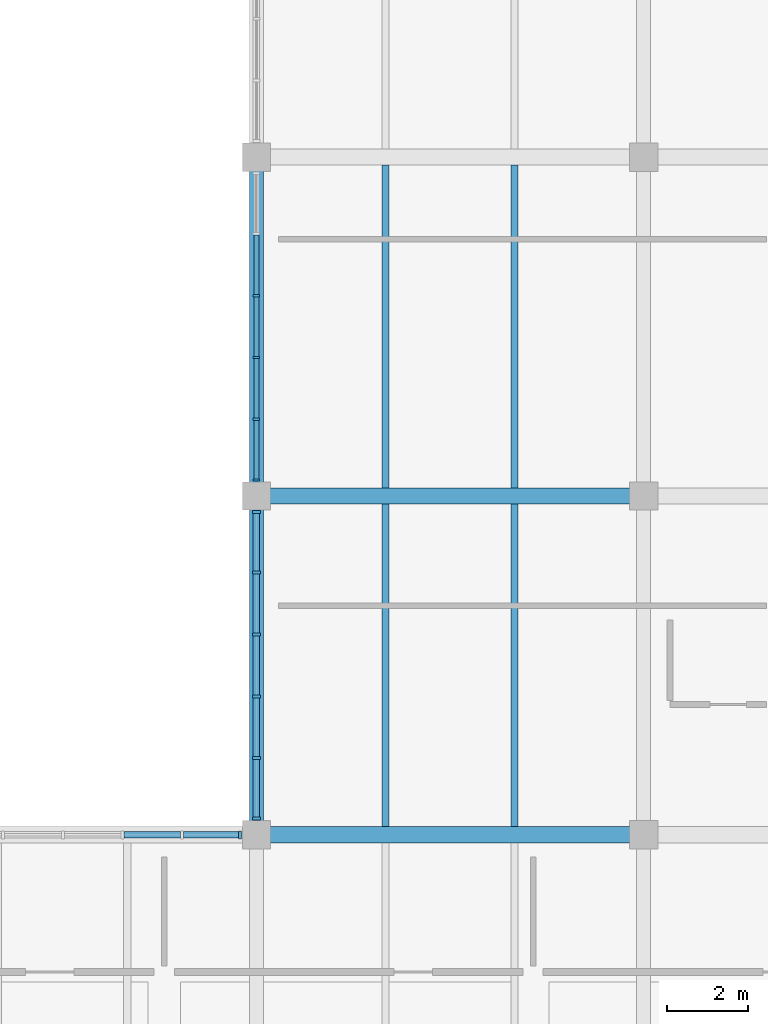
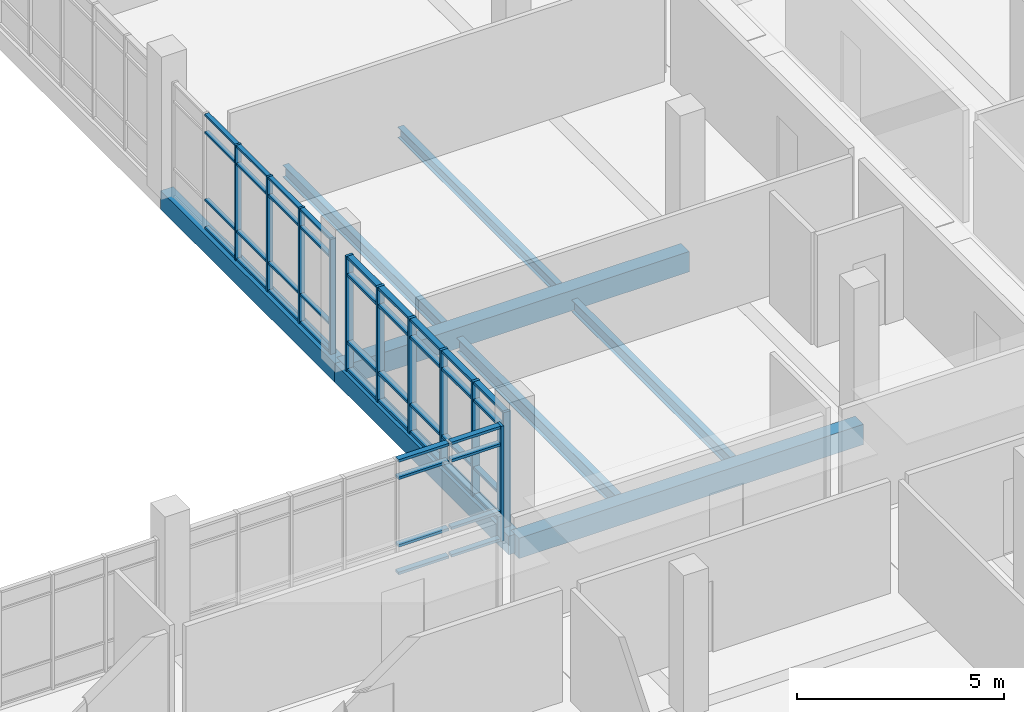
# One storey, part 10 of 57: 55 members, 8 beams, 3 elements without a shape of their own.
"""IFC4 building model written with IfcOpenShell, lengths in metres."""

import ifcopenshell
import ifcopenshell.guid

model = None  # the IFC model being written
_history = None  # IfcOwnerHistory: only IFC2X3 demands one
_inside = {}  # id of a spatial element -> (the spatial element, [elements in it])
_under = {}  # id of a project, library or spatial element -> (it, [spatial elements below it])
_declared = {}  # id of a project -> (the project, [libraries it declares])
_typed = {}  # id of a type object -> (the type object, [elements of that type])
_made_of = {}  # id of a material, layer set ... -> (it, [elements and type objects made of it])


def new_model(schema):
    """Start an empty IFC model of exactly this schema.

    Asked for "IFC4X3", IfcOpenShell would pick the latest addendum, in which some entities
    have other attributes; the version numbers below select the first issue.
    IFC2X3 requires an IfcOwnerHistory on every rooted entity: one is made here for all.
    """
    global model, _history
    if schema == "IFC4X3":
        model = ifcopenshell.file(schema_version=(4, 3, 0, 0))
    else:
        model = ifcopenshell.file(schema=schema)
    _inside.clear()
    _under.clear()
    _declared.clear()
    _typed.clear()
    _made_of.clear()
    _history = None
    if model.schema == "IFC2X3":
        org = make("IfcOrganization", Name="unknown")
        user = make(
            "IfcPersonAndOrganization",
            ThePerson=make("IfcPerson", FamilyName="unknown"),
            TheOrganization=org,
        )
        app = make(
            "IfcApplication",
            ApplicationDeveloper=org,
            Version="unknown",
            ApplicationFullName="unknown",
            ApplicationIdentifier="unknown",
        )
        _history = make(
            "IfcOwnerHistory",
            OwningUser=user,
            OwningApplication=app,
            ChangeAction="ADDED",
            CreationDate=0,
        )
    return model


def make(cls, **values):
    """One entity of the class cls with the attributes given. An attribute that is None is left unset."""
    return model.create_entity(
        cls, **{name: value for name, value in values.items() if value is not None}
    )


def rooted(cls, **values):
    """An entity with a GlobalId (a new one), such as an element, a storey or a relation."""
    return make(cls, GlobalId=ifcopenshell.guid.new(), OwnerHistory=_history, **values)


def si_unit(unit_type, name, prefix=None):
    """IfcSIUnit, for example si_unit("LENGTHUNIT", "METRE", prefix="MILLI")."""
    return make("IfcSIUnit", UnitType=unit_type, Prefix=prefix, Name=name)


def assignment(units):
    """IfcUnitAssignment: the units of a project."""
    return None if units is None else make("IfcUnitAssignment", Units=units)


def point(xyz):
    """IfcCartesianPoint."""
    return None if xyz is None else make("IfcCartesianPoint", Coordinates=xyz)


def direction(xyz):
    """IfcDirection."""
    return None if xyz is None else make("IfcDirection", DirectionRatios=xyz)


def frame(location, z_axis=None, x_axis=None):
    """IfcAxis2Placement3D, a coordinate frame: its origin and axes. An axis left out is left unset."""
    return make(
        "IfcAxis2Placement3D",
        Location=point(location),
        Axis=direction(z_axis),
        RefDirection=direction(x_axis),
    )


def frame_2d(location, x_axis=None):
    """IfcAxis2Placement2D, a coordinate frame in the plane: its origin and x axis."""
    return make(
        "IfcAxis2Placement2D", Location=point(location), RefDirection=direction(x_axis)
    )


def origin():
    """The frame at (0, 0, 0) with its axes left unset."""
    return frame((0.0, 0.0, 0.0))


def origin_2d():
    """The frame at (0, 0) in the plane with its x axis left unset."""
    return frame_2d((0.0, 0.0))


def place(relative_to, where):
    """IfcLocalPlacement: puts the frame where relative to a parent placement (None: the world)."""
    return make(
        "IfcLocalPlacement", PlacementRelTo=relative_to, RelativePlacement=where
    )


def context(
    kind, dimensions, precision=None, world=None, true_north=None, identifier=None
):
    """IfcGeometricRepresentationContext, for example the 3D "Model" context."""
    return make(
        "IfcGeometricRepresentationContext",
        ContextIdentifier=identifier,
        ContextType=kind,
        CoordinateSpaceDimension=dimensions,
        Precision=precision,
        WorldCoordinateSystem=world,
        TrueNorth=true_north,
    )


def subcontext(parent, identifier, kind, view, scale=None):
    """IfcGeometricRepresentationSubContext, for example "Body" below "Model"."""
    return make(
        "IfcGeometricRepresentationSubContext",
        ContextIdentifier=identifier,
        ContextType=kind,
        ParentContext=parent,
        TargetScale=scale,
        TargetView=view,
    )


def project(units=None, contexts=None):
    """IfcProject with its units and contexts."""
    return rooted(
        "IfcProject",
        Name="project",
        RepresentationContexts=contexts,
        UnitsInContext=assignment(units),
    )


def spatial(cls, under=None, at=None, **own):
    """A site, building, storey or space (cls), placed at a placement, below another one or the project."""
    s = rooted(cls, ObjectPlacement=at, **own)
    if under is not None:
        _under.setdefault(under.id(), (under, []))[1].append(s)
    return s


def profile(cls, at=None, kind="AREA", **sizes):
    """A parametric profile (cls). Its sizes go by their IFC names, for example OverallWidth=200.0."""
    return make(cls, ProfileType=kind, Position=at, **sizes)


def rectangle(**sizes):
    """IfcRectangleProfileDef."""
    return profile("IfcRectangleProfileDef", **sizes)


def i_section(**sizes):
    """IfcIShapeProfileDef."""
    return profile("IfcIShapeProfileDef", **sizes)


def extrude(swept, where, along, depth):
    """IfcExtrudedAreaSolid: the profile swept, set in the frame where, extruded along a direction by depth."""
    return make(
        "IfcExtrudedAreaSolid",
        SweptArea=swept,
        Position=where,
        ExtrudedDirection=direction(along),
        Depth=depth,
    )


def shape(context_of_items, identifier, shape_type, items):
    """IfcShapeRepresentation: the items that make up one representation, for example the "Body"."""
    return make(
        "IfcShapeRepresentation",
        ContextOfItems=context_of_items,
        RepresentationIdentifier=identifier,
        RepresentationType=shape_type,
        Items=items,
    )


def material(Name=None, Category=None):
    """IfcMaterial."""
    return make("IfcMaterial", Name=Name, Category=Category)


def material_profile(
    of_material, cross_section, Name=None, Category=None, Priority=None
):
    """IfcMaterialProfile: a cross section and its material."""
    return make(
        "IfcMaterialProfile",
        Name=Name,
        Material=of_material,
        Profile=cross_section,
        Priority=Priority,
        Category=Category,
    )


def profile_set(profiles, Name=None, composite=None):
    """IfcMaterialProfileSet."""
    return make(
        "IfcMaterialProfileSet",
        Name=Name,
        MaterialProfiles=profiles,
        CompositeProfile=composite,
    )


def made_of(thing, what):
    """Note that an element or type object is made of a material, layer set ...; save() writes the relation."""
    if what is not None:
        _made_of.setdefault(what.id(), (what, []))[1].append(thing)
    return thing


def type_object(cls, material=None, **own):
    """A type object (cls), such as IfcWallType, which elements share."""
    return made_of(rooted(cls, **own), material)


def element(
    cls,
    number,
    at=None,
    inside=None,
    cuts=None,
    type_object=None,
    material=None,
    context=None,
    identifier="Body",
    shape_type=None,
    held_by="IfcProductDefinitionShape",
    body=None,
    shapes=None,
    **own,
):
    """One element of the class cls, such as IfcWall. Its Tag is "e" and its number.

    at: its placement. inside: the storey or other place that contains it. cuts: it is an
    opening in that element (IfcRelVoidsElement). A single representation is given by context,
    identifier, shape_type and body (its items); several are given by shapes. held_by: the class
    of the entity that holds the representations. save() writes the other relations.
    """
    e = rooted(cls, Tag="e%d" % number, ObjectPlacement=at, **own)
    if body is not None:
        shapes = [shape(context, identifier, shape_type, body)]
    if shapes is not None:
        e.Representation = make(held_by, Representations=shapes)
    if inside is not None:
        _inside.setdefault(inside.id(), (inside, []))[1].append(e)
    if cuts is not None:
        rooted(
            "IfcRelVoidsElement", RelatingBuildingElement=cuts, RelatedOpeningElement=e
        )
    if type_object is not None:
        _typed.setdefault(type_object.id(), (type_object, []))[1].append(e)
    return made_of(e, material)


def aggregate(whole, parts):
    """IfcRelAggregates: a whole, such as a stair, and the parts it consists of."""
    return rooted("IfcRelAggregates", RelatingObject=whole, RelatedObjects=parts)


def save(model, path):
    """Write the relations noted so far, then the file.

    IfcRelAggregates (storeys below a building ...), IfcRelContainedInSpatialStructure (elements
    in a storey), IfcRelDefinesByType, IfcRelAssociatesMaterial and IfcRelDeclares: one each for
    every whole, place, type object, material and project.
    """
    for whole, parts in _under.values():
        aggregate(whole, parts)
    for where, things in _inside.values():
        rooted(
            "IfcRelContainedInSpatialStructure",
            RelatedElements=things,
            RelatingStructure=where,
        )
    for kind, things in _typed.values():
        rooted("IfcRelDefinesByType", RelatedObjects=things, RelatingType=kind)
    for what, things in _made_of.values():
        rooted("IfcRelAssociatesMaterial", RelatedObjects=things, RelatingMaterial=what)
    for by, libraries in _declared.values():
        rooted("IfcRelDeclares", RelatingContext=by, RelatedDefinitions=libraries)
    model.write(path)


model = new_model("IFC4")

# Units and contexts
model_context = context("Model", 3, precision=1e-05, world=origin(), true_north=direction((0.0, 1.0)))
body_context = subcontext(model_context, "Body", "Model", "MODEL_VIEW")
ifc_project = project(units=[si_unit("LENGTHUNIT", "METRE"), si_unit("AREAUNIT", "SQUARE_METRE"), si_unit("VOLUMEUNIT", "CUBIC_METRE"), si_unit("PLANEANGLEUNIT", "RADIAN"), si_unit("MASSUNIT", "GRAM", prefix="KILO")], contexts=[model_context])

# Site, building, storey
site_placement = place(None, origin())
site = spatial("IfcSite", under=ifc_project, at=site_placement, CompositionType="ELEMENT")
building_placement = place(site_placement, origin())
building = spatial("IfcBuilding", under=site, at=building_placement, Name="Oolite Switchyard Hospital", CompositionType="ELEMENT")
storey_placement = place(building_placement, frame((0.0, 0.0, 17.800048828125)))
storey = spatial("IfcBuildingStorey", under=building, at=storey_placement, Name="L04", CompositionType="ELEMENT", Elevation=17.800048828125)

# Beams
ifc_material_1 = material(Name="Concrete C40/50", Category="concrete")
ifc_material_profile_1 = material_profile(ifc_material_1, rectangle(XDim=0.35009765625, YDim=0.550048828125, at=origin_2d()), Name="RCB350X550")
ifc_profile_set_1 = profile_set([ifc_material_profile_1], Name="Concrete C40/50")
beam_type_1 = type_object("IfcBeamType", Name="BM-RC350X550", PredefinedType="BEAM", material=ifc_profile_set_1)
beam_1_placement = place(storey_placement, frame((182.39990234375, 25.199951171875, -0.275146484375), z_axis=(0.0, 1.0, 0.0), x_axis=(-1.0, 0.0, 0.0)))
element("IfcBeam", 1, at=beam_1_placement, inside=storey, type_object=beam_type_1, Name="L04 Y-Girder 3041", PredefinedType="BEAM", context=body_context, shape_type="SweptSolid", body=[
    extrude(rectangle(XDim=0.35009765625, YDim=0.550048828125, at=origin_2d()), origin(), (0.0, 0.0, 1.0), 8.400146484375),
])
beam_2_placement = place(storey_placement, frame((182.39990234375, 33.60009765625, -0.275146484375), z_axis=(0.0, 1.0, 0.0), x_axis=(-1.0, 0.0, 0.0)))
element("IfcBeam", 2, at=beam_2_placement, inside=storey, type_object=beam_type_1, Name="L04 Y-Girder 3042", PredefinedType="BEAM", context=body_context, shape_type="SweptSolid", body=[
    extrude(rectangle(XDim=0.35009765625, YDim=0.550048828125, at=origin_2d()), origin(), (0.0, 0.0, 1.0), 8.39990234375),
])
ifc_material_profile_2 = material_profile(ifc_material_1, rectangle(XDim=0.39990234375, YDim=0.60009765625, at=origin_2d()), Name="RCB400X600")
ifc_profile_set_2 = profile_set([ifc_material_profile_2], Name="Concrete C40/50")
beam_type_2 = type_object("IfcBeamType", Name="BM-RC400X600", PredefinedType="BEAM", material=ifc_profile_set_2)
for number, where, z_axis, x_axis, name in (
    (3, (182.39990234375, 25.199951171875, -0.300048828125), (1.0, 0.0, 0.0), (0.0, 1.0, 0.0), "L04 X-Girder 2776"),
    (4, (182.39990234375, 33.60009765625, -0.300048828125), (1.0, 0.0, 0.0), (0.0, 1.0, 0.0), "L04 X-Girder 2782"),
):
    element("IfcBeam", number, at=place(storey_placement, frame(where, z_axis=z_axis, x_axis=x_axis)), inside=storey, type_object=beam_type_2, Name=name, PredefinedType="BEAM", context=body_context, shape_type="SweptSolid", body=[
        extrude(rectangle(XDim=0.39990234375, YDim=0.60009765625, at=origin_2d()), origin(), (0.0, 0.0, 1.0), 9.60009765625),
    ])
ifc_material_2 = material(Name="Steel ASTM A992 Grade 50", Category="steel")
ifc_material_profile_3 = material_profile(ifc_material_2, i_section(OverallWidth=0.1650390625, OverallDepth=0.31005859375, WebThickness=0.006103515625, FlangeThickness=0.010009765625, at=origin_2d()), Name="W12X26")
ifc_profile_set_3 = profile_set([ifc_material_profile_3], Name="Steel ASTM A992 Grade 50")
beam_type_3 = type_object("IfcBeamType", Name="BM-W12X26", PredefinedType="JOIST", material=ifc_profile_set_3)
beam_3_placement = place(storey_placement, frame((188.800048828125, 33.800048828125, -0.429931640625), z_axis=(0.0, 1.0, 0.0), x_axis=(-1.0, 0.0, 0.0)))
element("IfcBeam", 5, at=beam_3_placement, inside=storey, type_object=beam_type_3, Name="L04 Secondary Steel Joist 3276", PredefinedType="JOIST", context=body_context, shape_type="SweptSolid", body=[
    extrude(i_section(OverallWidth=0.1650390625, OverallDepth=0.31005859375, WebThickness=0.006103515625, FlangeThickness=0.010009765625, at=origin_2d()), origin(), (0.0, 0.0, 1.0), 8.0),
])
ifc_material_profile_4 = material_profile(ifc_material_2, i_section(OverallWidth=0.1708984375, OverallDepth=0.35107421875, WebThickness=0.007080078125, FlangeThickness=0.010009765625, at=origin_2d()), Name="W14X30")
ifc_profile_set_4 = profile_set([ifc_material_profile_4], Name="Steel ASTM A992 Grade 50")
beam_type_4 = type_object("IfcBeamType", Name="BM-W14X30", PredefinedType="JOIST", material=ifc_profile_set_4)
for number, where, z_axis, x_axis, name in (
    (6, (188.800048828125, 25.39990234375, -0.449951171875), (0.0, 1.0, 0.0), (-1.0, 0.0, 0.0), "L04 Secondary Steel Joist 3274"),
    (7, (185.60009765625, 33.800048828125, -0.449951171875), (0.0, 1.0, 0.0), (-1.0, 0.0, 0.0), "L04 Secondary Steel Joist 3275"),
):
    element("IfcBeam", number, at=place(storey_placement, frame(where, z_axis=z_axis, x_axis=x_axis)), inside=storey, type_object=beam_type_4, Name=name, PredefinedType="JOIST", context=body_context, shape_type="SweptSolid", body=[
        extrude(i_section(OverallWidth=0.1708984375, OverallDepth=0.35107421875, WebThickness=0.007080078125, FlangeThickness=0.010009765625, at=origin_2d()), origin(), (0.0, 0.0, 1.0), 8.0),
    ])
ifc_material_profile_5 = material_profile(ifc_material_2, i_section(OverallWidth=0.177978515625, OverallDepth=0.403076171875, WebThickness=0.008056640625, FlangeThickness=0.010986328125, at=origin_2d()), Name="W16X36")
ifc_profile_set_5 = profile_set([ifc_material_profile_5], Name="Steel ASTM A992 Grade 50")
beam_type_5 = type_object("IfcBeamType", Name="BM-W16X36", PredefinedType="JOIST", material=ifc_profile_set_5)
beam_4_placement = place(storey_placement, frame((185.60009765625, 25.39990234375, -0.47607421875), z_axis=(0.0, 1.0, 0.0), x_axis=(-1.0, 0.0, 0.0)))
element("IfcBeam", 8, at=beam_4_placement, inside=storey, type_object=beam_type_5, Name="L04 Secondary Steel Joist 3273", PredefinedType="JOIST", context=body_context, shape_type="SweptSolid", body=[
    extrude(i_section(OverallWidth=0.177978515625, OverallDepth=0.403076171875, WebThickness=0.008056640625, FlangeThickness=0.010986328125, at=origin_2d()), origin(), (0.0, 0.0, 1.0), 8.0),
])

# Curtain wall, members
ifc_material_3 = material(Name="Thermally broken aluminum frame with laminated impact glazing", Category="aluminium")
curtain_wall_type_1 = type_object("IfcCurtainWallType", Name="CW-UNIT-84X42", PredefinedType="USERDEFINED", material=ifc_material_3)
curtain_wall_1_placement = place(storey_placement, origin())
curtain_wall_1 = element("IfcCurtainWall", 9, at=curtain_wall_1_placement, inside=storey, type_object=curtain_wall_type_1, Name="L04 Unitised Curtain Wall 374", ObjectType="UNITISED", PredefinedType="USERDEFINED")
ifc_material_4 = material(Name="Aluminium 6063-T6", Category="aluminium")
ifc_material_profile_6 = material_profile(ifc_material_4, rectangle(XDim=0.159912109375, YDim=0.06005859375, at=origin_2d()), Name="CWM60X160")
ifc_profile_set_6 = profile_set([ifc_material_profile_6], Name="Aluminium 6063-T6")
member_type_1 = type_object("IfcMemberType", Name="CW-MUL-180", PredefinedType="MULLION", material=ifc_profile_set_6)
member_1_placement = place(storey_placement, frame((182.39990234375, 33.9951171875, 0.0), z_axis=(0.0, 0.0, 1.0), x_axis=(-1.0, 0.0, 0.0)))
member_1 = element("IfcMember", 10, at=member_1_placement, type_object=member_type_1, Name="CW-10 mullion 1", PredefinedType="MULLION", context=body_context, shape_type="SweptSolid", body=[
    extrude(rectangle(XDim=0.159912109375, YDim=0.06005859375, at=origin_2d()), origin(), (0.0, 0.0, 1.0), 3.389892578125),
])
member_2_placement = place(storey_placement, frame((182.39990234375, 35.4990234375, 0.0), z_axis=(0.0, 0.0, 1.0), x_axis=(-1.0, 0.0, 0.0)))
member_2 = element("IfcMember", 11, at=member_2_placement, type_object=member_type_1, Name="CW-10 mullion 2", PredefinedType="MULLION", context=body_context, shape_type="SweptSolid", body=[
    extrude(rectangle(XDim=0.159912109375, YDim=0.06005859375, at=origin_2d()), origin(), (0.0, 0.0, 1.0), 3.389892578125),
])
member_3_placement = place(storey_placement, frame((182.39990234375, 37.032958984375, 0.0), z_axis=(0.0, 0.0, 1.0), x_axis=(-1.0, 0.0, 0.0)))
member_3 = element("IfcMember", 12, at=member_3_placement, type_object=member_type_1, Name="CW-10 mullion 3", PredefinedType="MULLION", context=body_context, shape_type="SweptSolid", body=[
    extrude(rectangle(XDim=0.159912109375, YDim=0.06005859375, at=origin_2d()), origin(), (0.0, 0.0, 1.0), 3.389892578125),
])
member_4_placement = place(storey_placement, frame((182.39990234375, 38.56689453125, 0.0), z_axis=(0.0, 0.0, 1.0), x_axis=(-1.0, 0.0, 0.0)))
member_4 = element("IfcMember", 13, at=member_4_placement, type_object=member_type_1, Name="CW-10 mullion 4", PredefinedType="MULLION", context=body_context, shape_type="SweptSolid", body=[
    extrude(rectangle(XDim=0.159912109375, YDim=0.06005859375, at=origin_2d()), origin(), (0.0, 0.0, 1.0), 3.389892578125),
])

# Curtain wall, member
curtain_wall_type_2 = type_object("IfcCurtainWallType", Name="CW-UNIT-96X42", PredefinedType="USERDEFINED", material=ifc_material_3)
curtain_wall_2_placement = place(storey_placement, origin())
curtain_wall_2 = element("IfcCurtainWall", 14, at=curtain_wall_2_placement, inside=storey, type_object=curtain_wall_type_2, Name="L04 Unitised Curtain Wall 361", ObjectType="UNITISED", PredefinedType="USERDEFINED")
ifc_material_profile_7 = material_profile(ifc_material_4, rectangle(XDim=0.199951171875, YDim=0.074951171875, at=origin_2d()), Name="CWM75X200")
ifc_profile_set_7 = profile_set([ifc_material_profile_7], Name="Aluminium 6063-T6")
member_type_2 = type_object("IfcMemberType", Name="CW-MUL-260", PredefinedType="MULLION", material=ifc_profile_set_7)
member_5_placement = place(storey_placement, frame((181.99755859375, 25.199951171875, 0.0), z_axis=(0.0, 0.0, 1.0), x_axis=(0.0, 1.0, 0.0)))
member_5 = element("IfcMember", 15, at=member_5_placement, type_object=member_type_2, Name="CW-05 mullion 7", PredefinedType="MULLION", context=body_context, shape_type="SweptSolid", body=[
    extrude(rectangle(XDim=0.199951171875, YDim=0.074951171875, at=origin_2d()), origin(), (0.0, 0.0, 1.0), 3.389892578125),
])

# Curtain wall, members
curtain_wall_3_placement = place(storey_placement, origin())
curtain_wall_3 = element("IfcCurtainWall", 16, at=curtain_wall_3_placement, inside=storey, type_object=curtain_wall_type_1, Name="L04 Unitised Curtain Wall 373", ObjectType="UNITISED", PredefinedType="USERDEFINED")
member_6_placement = place(storey_placement, frame((182.39990234375, 25.6025390625, 0.0), z_axis=(0.0, 0.0, 1.0), x_axis=(-1.0, 0.0, 0.0)))
member_6 = element("IfcMember", 17, at=member_6_placement, type_object=member_type_2, Name="CW-10 mullion 1", PredefinedType="MULLION", context=body_context, shape_type="SweptSolid", body=[
    extrude(rectangle(XDim=0.199951171875, YDim=0.074951171875, at=origin_2d()), origin(), (0.0, 0.0, 1.0), 3.389892578125),
])
member_7_placement = place(storey_placement, frame((182.39990234375, 27.09912109375, 0.0), z_axis=(0.0, 0.0, 1.0), x_axis=(-1.0, 0.0, 0.0)))
member_7 = element("IfcMember", 18, at=member_7_placement, type_object=member_type_2, Name="CW-10 mullion 2", PredefinedType="MULLION", context=body_context, shape_type="SweptSolid", body=[
    extrude(rectangle(XDim=0.199951171875, YDim=0.074951171875, at=origin_2d()), origin(), (0.0, 0.0, 1.0), 3.389892578125),
])
member_8_placement = place(storey_placement, frame((182.39990234375, 28.633056640625, 0.0), z_axis=(0.0, 0.0, 1.0), x_axis=(-1.0, 0.0, 0.0)))
member_8 = element("IfcMember", 19, at=member_8_placement, type_object=member_type_2, Name="CW-10 mullion 3", PredefinedType="MULLION", context=body_context, shape_type="SweptSolid", body=[
    extrude(rectangle(XDim=0.199951171875, YDim=0.074951171875, at=origin_2d()), origin(), (0.0, 0.0, 1.0), 3.389892578125),
])
member_9_placement = place(storey_placement, frame((182.39990234375, 30.1669921875, 0.0), z_axis=(0.0, 0.0, 1.0), x_axis=(-1.0, 0.0, 0.0)))
member_9 = element("IfcMember", 20, at=member_9_placement, type_object=member_type_2, Name="CW-10 mullion 4", PredefinedType="MULLION", context=body_context, shape_type="SweptSolid", body=[
    extrude(rectangle(XDim=0.199951171875, YDim=0.074951171875, at=origin_2d()), origin(), (0.0, 0.0, 1.0), 3.389892578125),
])
member_10_placement = place(storey_placement, frame((182.39990234375, 31.700927734375, 0.0), z_axis=(0.0, 0.0, 1.0), x_axis=(-1.0, 0.0, 0.0)))
member_10 = element("IfcMember", 21, at=member_10_placement, type_object=member_type_2, Name="CW-10 mullion 5", PredefinedType="MULLION", context=body_context, shape_type="SweptSolid", body=[
    extrude(rectangle(XDim=0.199951171875, YDim=0.074951171875, at=origin_2d()), origin(), (0.0, 0.0, 1.0), 3.389892578125),
])
member_11_placement = place(storey_placement, frame((182.39990234375, 33.197509765625, 0.0), z_axis=(0.0, 0.0, 1.0), x_axis=(-1.0, 0.0, 0.0)))
member_11 = element("IfcMember", 22, at=member_11_placement, type_object=member_type_2, Name="CW-10 mullion 6", PredefinedType="MULLION", context=body_context, shape_type="SweptSolid", body=[
    extrude(rectangle(XDim=0.199951171875, YDim=0.074951171875, at=origin_2d()), origin(), (0.0, 0.0, 1.0), 3.389892578125),
])

# Member
ifc_material_profile_8 = material_profile(ifc_material_4, rectangle(XDim=0.1201171875, YDim=0.06005859375, at=origin_2d()), Name="CWT60X120")
ifc_profile_set_8 = profile_set([ifc_material_profile_8], Name="Aluminium 6063-T6")
member_type_3 = type_object("IfcMemberType", Name="CW-TRN-150", PredefinedType="USERDEFINED", material=ifc_profile_set_8)
member_12_placement = place(storey_placement, frame((182.39990234375, 34.02490234375, 0.030029296875), z_axis=(0.0, 1.0, 0.0), x_axis=(-1.0, 0.0, 0.0)))
member_12 = element("IfcMember", 23, at=member_12_placement, type_object=member_type_3, Name="CW-10 transom 1.1", ObjectType="TRANSOM", PredefinedType="USERDEFINED", context=body_context, shape_type="SweptSolid", body=[
    extrude(rectangle(XDim=0.1201171875, YDim=0.06005859375, at=origin_2d()), origin(), (0.0, 0.0, 1.0), 1.444091796875),
])

member_13_placement = place(storey_placement, frame((182.39990234375, 34.02490234375, 0.849853515625), z_axis=(0.0, 1.0, 0.0), x_axis=(-1.0, 0.0, 0.0)))
member_13 = element("IfcMember", 24, at=member_13_placement, type_object=member_type_3, Name="CW-10 transom 1.2", ObjectType="TRANSOM", PredefinedType="USERDEFINED", context=body_context, shape_type="SweptSolid", body=[
    extrude(rectangle(XDim=0.1201171875, YDim=0.06005859375, at=origin_2d()), origin(), (0.0, 0.0, 1.0), 1.444091796875),
])

member_14_placement = place(storey_placement, frame((182.39990234375, 34.02490234375, 2.83984375), z_axis=(0.0, 1.0, 0.0), x_axis=(-1.0, 0.0, 0.0)))
member_14 = element("IfcMember", 25, at=member_14_placement, type_object=member_type_3, Name="CW-10 transom 1.3", ObjectType="TRANSOM", PredefinedType="USERDEFINED", context=body_context, shape_type="SweptSolid", body=[
    extrude(rectangle(XDim=0.1201171875, YDim=0.06005859375, at=origin_2d()), origin(), (0.0, 0.0, 1.0), 1.444091796875),
])

member_15_placement = place(storey_placement, frame((182.39990234375, 34.02490234375, 3.35986328125), z_axis=(0.0, 1.0, 0.0), x_axis=(-1.0, 0.0, 0.0)))
member_15 = element("IfcMember", 26, at=member_15_placement, type_object=member_type_3, Name="CW-10 transom 1.4", ObjectType="TRANSOM", PredefinedType="USERDEFINED", context=body_context, shape_type="SweptSolid", body=[
    extrude(rectangle(XDim=0.1201171875, YDim=0.06005859375, at=origin_2d()), origin(), (0.0, 0.0, 1.0), 1.444091796875),
])

member_16_placement = place(storey_placement, frame((182.39990234375, 35.529052734375, 0.030029296875), z_axis=(0.0, 1.0, 0.0), x_axis=(-1.0, 0.0, 0.0)))
member_16 = element("IfcMember", 27, at=member_16_placement, type_object=member_type_3, Name="CW-10 transom 2.1", ObjectType="TRANSOM", PredefinedType="USERDEFINED", context=body_context, shape_type="SweptSolid", body=[
    extrude(rectangle(XDim=0.1201171875, YDim=0.06005859375, at=origin_2d()), origin(), (0.0, 0.0, 1.0), 1.473876953125),
])

member_17_placement = place(storey_placement, frame((182.39990234375, 35.529052734375, 0.849853515625), z_axis=(0.0, 1.0, 0.0), x_axis=(-1.0, 0.0, 0.0)))
member_17 = element("IfcMember", 28, at=member_17_placement, type_object=member_type_3, Name="CW-10 transom 2.2", ObjectType="TRANSOM", PredefinedType="USERDEFINED", context=body_context, shape_type="SweptSolid", body=[
    extrude(rectangle(XDim=0.1201171875, YDim=0.06005859375, at=origin_2d()), origin(), (0.0, 0.0, 1.0), 1.473876953125),
])

member_18_placement = place(storey_placement, frame((182.39990234375, 35.529052734375, 2.83984375), z_axis=(0.0, 1.0, 0.0), x_axis=(-1.0, 0.0, 0.0)))
member_18 = element("IfcMember", 29, at=member_18_placement, type_object=member_type_3, Name="CW-10 transom 2.3", ObjectType="TRANSOM", PredefinedType="USERDEFINED", context=body_context, shape_type="SweptSolid", body=[
    extrude(rectangle(XDim=0.1201171875, YDim=0.06005859375, at=origin_2d()), origin(), (0.0, 0.0, 1.0), 1.473876953125),
])

member_19_placement = place(storey_placement, frame((182.39990234375, 35.529052734375, 3.35986328125), z_axis=(0.0, 1.0, 0.0), x_axis=(-1.0, 0.0, 0.0)))
member_19 = element("IfcMember", 30, at=member_19_placement, type_object=member_type_3, Name="CW-10 transom 2.4", ObjectType="TRANSOM", PredefinedType="USERDEFINED", context=body_context, shape_type="SweptSolid", body=[
    extrude(rectangle(XDim=0.1201171875, YDim=0.06005859375, at=origin_2d()), origin(), (0.0, 0.0, 1.0), 1.473876953125),
])

member_20_placement = place(storey_placement, frame((182.39990234375, 37.06298828125, 0.030029296875), z_axis=(0.0, 1.0, 0.0), x_axis=(-1.0, 0.0, 0.0)))
member_20 = element("IfcMember", 31, at=member_20_placement, type_object=member_type_3, Name="CW-10 transom 3.1", ObjectType="TRANSOM", PredefinedType="USERDEFINED", context=body_context, shape_type="SweptSolid", body=[
    extrude(rectangle(XDim=0.1201171875, YDim=0.06005859375, at=origin_2d()), origin(), (0.0, 0.0, 1.0), 1.47412109375),
])

member_21_placement = place(storey_placement, frame((182.39990234375, 37.06298828125, 0.849853515625), z_axis=(0.0, 1.0, 0.0), x_axis=(-1.0, 0.0, 0.0)))
member_21 = element("IfcMember", 32, at=member_21_placement, type_object=member_type_3, Name="CW-10 transom 3.2", ObjectType="TRANSOM", PredefinedType="USERDEFINED", context=body_context, shape_type="SweptSolid", body=[
    extrude(rectangle(XDim=0.1201171875, YDim=0.06005859375, at=origin_2d()), origin(), (0.0, 0.0, 1.0), 1.47412109375),
])

member_22_placement = place(storey_placement, frame((182.39990234375, 37.06298828125, 2.83984375), z_axis=(0.0, 1.0, 0.0), x_axis=(-1.0, 0.0, 0.0)))
member_22 = element("IfcMember", 33, at=member_22_placement, type_object=member_type_3, Name="CW-10 transom 3.3", ObjectType="TRANSOM", PredefinedType="USERDEFINED", context=body_context, shape_type="SweptSolid", body=[
    extrude(rectangle(XDim=0.1201171875, YDim=0.06005859375, at=origin_2d()), origin(), (0.0, 0.0, 1.0), 1.47412109375),
])

member_23_placement = place(storey_placement, frame((182.39990234375, 37.06298828125, 3.35986328125), z_axis=(0.0, 1.0, 0.0), x_axis=(-1.0, 0.0, 0.0)))
member_23 = element("IfcMember", 34, at=member_23_placement, type_object=member_type_3, Name="CW-10 transom 3.4", ObjectType="TRANSOM", PredefinedType="USERDEFINED", context=body_context, shape_type="SweptSolid", body=[
    extrude(rectangle(XDim=0.1201171875, YDim=0.06005859375, at=origin_2d()), origin(), (0.0, 0.0, 1.0), 1.47412109375),
])

member_24_placement = place(storey_placement, frame((182.39990234375, 38.596923828125, 0.030029296875), z_axis=(0.0, 1.0, 0.0), x_axis=(-1.0, 0.0, 0.0)))
member_24 = element("IfcMember", 35, at=member_24_placement, type_object=member_type_3, Name="CW-10 transom 4.1", ObjectType="TRANSOM", PredefinedType="USERDEFINED", context=body_context, shape_type="SweptSolid", body=[
    extrude(rectangle(XDim=0.1201171875, YDim=0.06005859375, at=origin_2d()), origin(), (0.0, 0.0, 1.0), 1.47412109375),
])

member_25_placement = place(storey_placement, frame((182.39990234375, 38.596923828125, 0.849853515625), z_axis=(0.0, 1.0, 0.0), x_axis=(-1.0, 0.0, 0.0)))
member_25 = element("IfcMember", 36, at=member_25_placement, type_object=member_type_3, Name="CW-10 transom 4.2", ObjectType="TRANSOM", PredefinedType="USERDEFINED", context=body_context, shape_type="SweptSolid", body=[
    extrude(rectangle(XDim=0.1201171875, YDim=0.06005859375, at=origin_2d()), origin(), (0.0, 0.0, 1.0), 1.47412109375),
])

member_26_placement = place(storey_placement, frame((182.39990234375, 38.596923828125, 2.83984375), z_axis=(0.0, 1.0, 0.0), x_axis=(-1.0, 0.0, 0.0)))
member_26 = element("IfcMember", 37, at=member_26_placement, type_object=member_type_3, Name="CW-10 transom 4.3", ObjectType="TRANSOM", PredefinedType="USERDEFINED", context=body_context, shape_type="SweptSolid", body=[
    extrude(rectangle(XDim=0.1201171875, YDim=0.06005859375, at=origin_2d()), origin(), (0.0, 0.0, 1.0), 1.47412109375),
])

member_27_placement = place(storey_placement, frame((182.39990234375, 38.596923828125, 3.35986328125), z_axis=(0.0, 1.0, 0.0), x_axis=(-1.0, 0.0, 0.0)))
member_27 = element("IfcMember", 38, at=member_27_placement, type_object=member_type_3, Name="CW-10 transom 4.4", ObjectType="TRANSOM", PredefinedType="USERDEFINED", context=body_context, shape_type="SweptSolid", body=[
    extrude(rectangle(XDim=0.1201171875, YDim=0.06005859375, at=origin_2d()), origin(), (0.0, 0.0, 1.0), 1.47412109375),
])

aggregate(curtain_wall_1, [member_1, member_2, member_3, member_4, member_12, member_13, member_14, member_15, member_16, member_17, member_18, member_19, member_20, member_21, member_22, member_23, member_24, member_25, member_26, member_27])

ifc_material_profile_9 = material_profile(ifc_material_4, rectangle(XDim=0.159912109375, YDim=0.074951171875, at=origin_2d()), Name="CWT75X160")
ifc_profile_set_9 = profile_set([ifc_material_profile_9], Name="Aluminium 6063-T6")
member_type_4 = type_object("IfcMemberType", Name="CW-TRN-180", PredefinedType="USERDEFINED", material=ifc_profile_set_9)
member_28_placement = place(storey_placement, frame((179.11572265625, 25.199951171875, 0.037353515625), z_axis=(1.0, 0.0, 0.0), x_axis=(0.0, 1.0, 0.0)))
member_28 = element("IfcMember", 39, at=member_28_placement, type_object=member_type_4, Name="CW-05 transom 5.1", ObjectType="TRANSOM", PredefinedType="USERDEFINED", context=body_context, shape_type="SweptSolid", body=[
    extrude(rectangle(XDim=0.159912109375, YDim=0.074951171875, at=origin_2d()), origin(), (0.0, 0.0, 1.0), 1.403564453125),
])

member_29_placement = place(storey_placement, frame((179.11572265625, 25.199951171875, 0.849853515625), z_axis=(1.0, 0.0, 0.0), x_axis=(0.0, 1.0, 0.0)))
member_29 = element("IfcMember", 40, at=member_29_placement, type_object=member_type_4, Name="CW-05 transom 5.2", ObjectType="TRANSOM", PredefinedType="USERDEFINED", context=body_context, shape_type="SweptSolid", body=[
    extrude(rectangle(XDim=0.159912109375, YDim=0.074951171875, at=origin_2d()), origin(), (0.0, 0.0, 1.0), 1.403564453125),
])

member_30_placement = place(storey_placement, frame((179.11572265625, 25.199951171875, 2.83984375), z_axis=(1.0, 0.0, 0.0), x_axis=(0.0, 1.0, 0.0)))
member_30 = element("IfcMember", 41, at=member_30_placement, type_object=member_type_4, Name="CW-05 transom 5.3", ObjectType="TRANSOM", PredefinedType="USERDEFINED", context=body_context, shape_type="SweptSolid", body=[
    extrude(rectangle(XDim=0.159912109375, YDim=0.074951171875, at=origin_2d()), origin(), (0.0, 0.0, 1.0), 1.403564453125),
])

member_31_placement = place(storey_placement, frame((179.11572265625, 25.199951171875, 3.3525390625), z_axis=(1.0, 0.0, 0.0), x_axis=(0.0, 1.0, 0.0)))
member_31 = element("IfcMember", 42, at=member_31_placement, type_object=member_type_4, Name="CW-05 transom 5.4", ObjectType="TRANSOM", PredefinedType="USERDEFINED", context=body_context, shape_type="SweptSolid", body=[
    extrude(rectangle(XDim=0.159912109375, YDim=0.074951171875, at=origin_2d()), origin(), (0.0, 0.0, 1.0), 1.403564453125),
])

member_32_placement = place(storey_placement, frame((180.59423828125, 25.199951171875, 0.037353515625), z_axis=(1.0, 0.0, 0.0), x_axis=(0.0, 1.0, 0.0)))
member_32 = element("IfcMember", 43, at=member_32_placement, type_object=member_type_4, Name="CW-05 transom 6.1", ObjectType="TRANSOM", PredefinedType="USERDEFINED", context=body_context, shape_type="SweptSolid", body=[
    extrude(rectangle(XDim=0.159912109375, YDim=0.074951171875, at=origin_2d()), origin(), (0.0, 0.0, 1.0), 1.36572265625),
])

member_33_placement = place(storey_placement, frame((180.59423828125, 25.199951171875, 0.849853515625), z_axis=(1.0, 0.0, 0.0), x_axis=(0.0, 1.0, 0.0)))
member_33 = element("IfcMember", 44, at=member_33_placement, type_object=member_type_4, Name="CW-05 transom 6.2", ObjectType="TRANSOM", PredefinedType="USERDEFINED", context=body_context, shape_type="SweptSolid", body=[
    extrude(rectangle(XDim=0.159912109375, YDim=0.074951171875, at=origin_2d()), origin(), (0.0, 0.0, 1.0), 1.36572265625),
])

member_34_placement = place(storey_placement, frame((180.59423828125, 25.199951171875, 2.83984375), z_axis=(1.0, 0.0, 0.0), x_axis=(0.0, 1.0, 0.0)))
member_34 = element("IfcMember", 45, at=member_34_placement, type_object=member_type_4, Name="CW-05 transom 6.3", ObjectType="TRANSOM", PredefinedType="USERDEFINED", context=body_context, shape_type="SweptSolid", body=[
    extrude(rectangle(XDim=0.159912109375, YDim=0.074951171875, at=origin_2d()), origin(), (0.0, 0.0, 1.0), 1.36572265625),
])

member_35_placement = place(storey_placement, frame((180.59423828125, 25.199951171875, 3.3525390625), z_axis=(1.0, 0.0, 0.0), x_axis=(0.0, 1.0, 0.0)))
member_35 = element("IfcMember", 46, at=member_35_placement, type_object=member_type_4, Name="CW-05 transom 6.4", ObjectType="TRANSOM", PredefinedType="USERDEFINED", context=body_context, shape_type="SweptSolid", body=[
    extrude(rectangle(XDim=0.159912109375, YDim=0.074951171875, at=origin_2d()), origin(), (0.0, 0.0, 1.0), 1.36572265625),
])

aggregate(curtain_wall_2, [member_5, member_28, member_29, member_30, member_31, member_32, member_33, member_34, member_35])

member_36_placement = place(storey_placement, frame((182.39990234375, 25.639892578125, 0.037353515625), z_axis=(0.0, 1.0, 0.0), x_axis=(-1.0, 0.0, 0.0)))
member_36 = element("IfcMember", 47, at=member_36_placement, type_object=member_type_4, Name="CW-10 transom 1.1", ObjectType="TRANSOM", PredefinedType="USERDEFINED", context=body_context, shape_type="SweptSolid", body=[
    extrude(rectangle(XDim=0.159912109375, YDim=0.074951171875, at=origin_2d()), origin(), (0.0, 0.0, 1.0), 1.421630859375),
])

member_37_placement = place(storey_placement, frame((182.39990234375, 25.639892578125, 0.849853515625), z_axis=(0.0, 1.0, 0.0), x_axis=(-1.0, 0.0, 0.0)))
member_37 = element("IfcMember", 48, at=member_37_placement, type_object=member_type_4, Name="CW-10 transom 1.2", ObjectType="TRANSOM", PredefinedType="USERDEFINED", context=body_context, shape_type="SweptSolid", body=[
    extrude(rectangle(XDim=0.159912109375, YDim=0.074951171875, at=origin_2d()), origin(), (0.0, 0.0, 1.0), 1.421630859375),
])

member_38_placement = place(storey_placement, frame((182.39990234375, 25.639892578125, 2.83984375), z_axis=(0.0, 1.0, 0.0), x_axis=(-1.0, 0.0, 0.0)))
member_38 = element("IfcMember", 49, at=member_38_placement, type_object=member_type_4, Name="CW-10 transom 1.3", ObjectType="TRANSOM", PredefinedType="USERDEFINED", context=body_context, shape_type="SweptSolid", body=[
    extrude(rectangle(XDim=0.159912109375, YDim=0.074951171875, at=origin_2d()), origin(), (0.0, 0.0, 1.0), 1.421630859375),
])

member_39_placement = place(storey_placement, frame((182.39990234375, 25.639892578125, 3.3525390625), z_axis=(0.0, 1.0, 0.0), x_axis=(-1.0, 0.0, 0.0)))
member_39 = element("IfcMember", 50, at=member_39_placement, type_object=member_type_4, Name="CW-10 transom 1.4", ObjectType="TRANSOM", PredefinedType="USERDEFINED", context=body_context, shape_type="SweptSolid", body=[
    extrude(rectangle(XDim=0.159912109375, YDim=0.074951171875, at=origin_2d()), origin(), (0.0, 0.0, 1.0), 1.421630859375),
])

member_40_placement = place(storey_placement, frame((182.39990234375, 27.136474609375, 0.037353515625), z_axis=(0.0, 1.0, 0.0), x_axis=(-1.0, 0.0, 0.0)))
member_40 = element("IfcMember", 51, at=member_40_placement, type_object=member_type_4, Name="CW-10 transom 2.1", ObjectType="TRANSOM", PredefinedType="USERDEFINED", context=body_context, shape_type="SweptSolid", body=[
    extrude(rectangle(XDim=0.159912109375, YDim=0.074951171875, at=origin_2d()), origin(), (0.0, 0.0, 1.0), 1.458984375),
])

member_41_placement = place(storey_placement, frame((182.39990234375, 27.136474609375, 0.849853515625), z_axis=(0.0, 1.0, 0.0), x_axis=(-1.0, 0.0, 0.0)))
member_41 = element("IfcMember", 52, at=member_41_placement, type_object=member_type_4, Name="CW-10 transom 2.2", ObjectType="TRANSOM", PredefinedType="USERDEFINED", context=body_context, shape_type="SweptSolid", body=[
    extrude(rectangle(XDim=0.159912109375, YDim=0.074951171875, at=origin_2d()), origin(), (0.0, 0.0, 1.0), 1.458984375),
])

member_42_placement = place(storey_placement, frame((182.39990234375, 27.136474609375, 2.83984375), z_axis=(0.0, 1.0, 0.0), x_axis=(-1.0, 0.0, 0.0)))
member_42 = element("IfcMember", 53, at=member_42_placement, type_object=member_type_4, Name="CW-10 transom 2.3", ObjectType="TRANSOM", PredefinedType="USERDEFINED", context=body_context, shape_type="SweptSolid", body=[
    extrude(rectangle(XDim=0.159912109375, YDim=0.074951171875, at=origin_2d()), origin(), (0.0, 0.0, 1.0), 1.458984375),
])

member_43_placement = place(storey_placement, frame((182.39990234375, 27.136474609375, 3.3525390625), z_axis=(0.0, 1.0, 0.0), x_axis=(-1.0, 0.0, 0.0)))
member_43 = element("IfcMember", 54, at=member_43_placement, type_object=member_type_4, Name="CW-10 transom 2.4", ObjectType="TRANSOM", PredefinedType="USERDEFINED", context=body_context, shape_type="SweptSolid", body=[
    extrude(rectangle(XDim=0.159912109375, YDim=0.074951171875, at=origin_2d()), origin(), (0.0, 0.0, 1.0), 1.458984375),
])

member_44_placement = place(storey_placement, frame((182.39990234375, 28.67041015625, 0.037353515625), z_axis=(0.0, 1.0, 0.0), x_axis=(-1.0, 0.0, 0.0)))
member_44 = element("IfcMember", 55, at=member_44_placement, type_object=member_type_4, Name="CW-10 transom 3.1", ObjectType="TRANSOM", PredefinedType="USERDEFINED", context=body_context, shape_type="SweptSolid", body=[
    extrude(rectangle(XDim=0.159912109375, YDim=0.074951171875, at=origin_2d()), origin(), (0.0, 0.0, 1.0), 1.458984375),
])

member_45_placement = place(storey_placement, frame((182.39990234375, 28.67041015625, 0.849853515625), z_axis=(0.0, 1.0, 0.0), x_axis=(-1.0, 0.0, 0.0)))
member_45 = element("IfcMember", 56, at=member_45_placement, type_object=member_type_4, Name="CW-10 transom 3.2", ObjectType="TRANSOM", PredefinedType="USERDEFINED", context=body_context, shape_type="SweptSolid", body=[
    extrude(rectangle(XDim=0.159912109375, YDim=0.074951171875, at=origin_2d()), origin(), (0.0, 0.0, 1.0), 1.458984375),
])

member_46_placement = place(storey_placement, frame((182.39990234375, 28.67041015625, 2.83984375), z_axis=(0.0, 1.0, 0.0), x_axis=(-1.0, 0.0, 0.0)))
member_46 = element("IfcMember", 57, at=member_46_placement, type_object=member_type_4, Name="CW-10 transom 3.3", ObjectType="TRANSOM", PredefinedType="USERDEFINED", context=body_context, shape_type="SweptSolid", body=[
    extrude(rectangle(XDim=0.159912109375, YDim=0.074951171875, at=origin_2d()), origin(), (0.0, 0.0, 1.0), 1.458984375),
])

member_47_placement = place(storey_placement, frame((182.39990234375, 28.67041015625, 3.3525390625), z_axis=(0.0, 1.0, 0.0), x_axis=(-1.0, 0.0, 0.0)))
member_47 = element("IfcMember", 58, at=member_47_placement, type_object=member_type_4, Name="CW-10 transom 3.4", ObjectType="TRANSOM", PredefinedType="USERDEFINED", context=body_context, shape_type="SweptSolid", body=[
    extrude(rectangle(XDim=0.159912109375, YDim=0.074951171875, at=origin_2d()), origin(), (0.0, 0.0, 1.0), 1.458984375),
])

member_48_placement = place(storey_placement, frame((182.39990234375, 30.20458984375, 0.037353515625), z_axis=(0.0, 1.0, 0.0), x_axis=(-1.0, 0.0, 0.0)))
member_48 = element("IfcMember", 59, at=member_48_placement, type_object=member_type_4, Name="CW-10 transom 4.1", ObjectType="TRANSOM", PredefinedType="USERDEFINED", context=body_context, shape_type="SweptSolid", body=[
    extrude(rectangle(XDim=0.159912109375, YDim=0.074951171875, at=origin_2d()), origin(), (0.0, 0.0, 1.0), 1.458984375),
])

member_49_placement = place(storey_placement, frame((182.39990234375, 30.20458984375, 0.849853515625), z_axis=(0.0, 1.0, 0.0), x_axis=(-1.0, 0.0, 0.0)))
member_49 = element("IfcMember", 60, at=member_49_placement, type_object=member_type_4, Name="CW-10 transom 4.2", ObjectType="TRANSOM", PredefinedType="USERDEFINED", context=body_context, shape_type="SweptSolid", body=[
    extrude(rectangle(XDim=0.159912109375, YDim=0.074951171875, at=origin_2d()), origin(), (0.0, 0.0, 1.0), 1.458984375),
])

member_50_placement = place(storey_placement, frame((182.39990234375, 30.20458984375, 2.83984375), z_axis=(0.0, 1.0, 0.0), x_axis=(-1.0, 0.0, 0.0)))
member_50 = element("IfcMember", 61, at=member_50_placement, type_object=member_type_4, Name="CW-10 transom 4.3", ObjectType="TRANSOM", PredefinedType="USERDEFINED", context=body_context, shape_type="SweptSolid", body=[
    extrude(rectangle(XDim=0.159912109375, YDim=0.074951171875, at=origin_2d()), origin(), (0.0, 0.0, 1.0), 1.458984375),
])

member_51_placement = place(storey_placement, frame((182.39990234375, 30.20458984375, 3.3525390625), z_axis=(0.0, 1.0, 0.0), x_axis=(-1.0, 0.0, 0.0)))
member_51 = element("IfcMember", 62, at=member_51_placement, type_object=member_type_4, Name="CW-10 transom 4.4", ObjectType="TRANSOM", PredefinedType="USERDEFINED", context=body_context, shape_type="SweptSolid", body=[
    extrude(rectangle(XDim=0.159912109375, YDim=0.074951171875, at=origin_2d()), origin(), (0.0, 0.0, 1.0), 1.458984375),
])

member_52_placement = place(storey_placement, frame((182.39990234375, 31.738525390625, 0.037353515625), z_axis=(0.0, 1.0, 0.0), x_axis=(-1.0, 0.0, 0.0)))
member_52 = element("IfcMember", 63, at=member_52_placement, type_object=member_type_4, Name="CW-10 transom 5.1", ObjectType="TRANSOM", PredefinedType="USERDEFINED", context=body_context, shape_type="SweptSolid", body=[
    extrude(rectangle(XDim=0.159912109375, YDim=0.074951171875, at=origin_2d()), origin(), (0.0, 0.0, 1.0), 1.42138671875),
])

member_53_placement = place(storey_placement, frame((182.39990234375, 31.738525390625, 0.849853515625), z_axis=(0.0, 1.0, 0.0), x_axis=(-1.0, 0.0, 0.0)))
member_53 = element("IfcMember", 64, at=member_53_placement, type_object=member_type_4, Name="CW-10 transom 5.2", ObjectType="TRANSOM", PredefinedType="USERDEFINED", context=body_context, shape_type="SweptSolid", body=[
    extrude(rectangle(XDim=0.159912109375, YDim=0.074951171875, at=origin_2d()), origin(), (0.0, 0.0, 1.0), 1.42138671875),
])

member_54_placement = place(storey_placement, frame((182.39990234375, 31.738525390625, 2.83984375), z_axis=(0.0, 1.0, 0.0), x_axis=(-1.0, 0.0, 0.0)))
member_54 = element("IfcMember", 65, at=member_54_placement, type_object=member_type_4, Name="CW-10 transom 5.3", ObjectType="TRANSOM", PredefinedType="USERDEFINED", context=body_context, shape_type="SweptSolid", body=[
    extrude(rectangle(XDim=0.159912109375, YDim=0.074951171875, at=origin_2d()), origin(), (0.0, 0.0, 1.0), 1.42138671875),
])

member_55_placement = place(storey_placement, frame((182.39990234375, 31.738525390625, 3.3525390625), z_axis=(0.0, 1.0, 0.0), x_axis=(-1.0, 0.0, 0.0)))
member_55 = element("IfcMember", 66, at=member_55_placement, type_object=member_type_4, Name="CW-10 transom 5.4", ObjectType="TRANSOM", PredefinedType="USERDEFINED", context=body_context, shape_type="SweptSolid", body=[
    extrude(rectangle(XDim=0.159912109375, YDim=0.074951171875, at=origin_2d()), origin(), (0.0, 0.0, 1.0), 1.42138671875),
])

aggregate(curtain_wall_3, [member_6, member_7, member_8, member_9, member_10, member_11, member_36, member_37, member_38, member_39, member_40, member_41, member_42, member_43, member_44, member_45, member_46, member_47, member_48, member_49, member_50, member_51, member_52, member_53, member_54, member_55])

save(model, "model.ifc")
